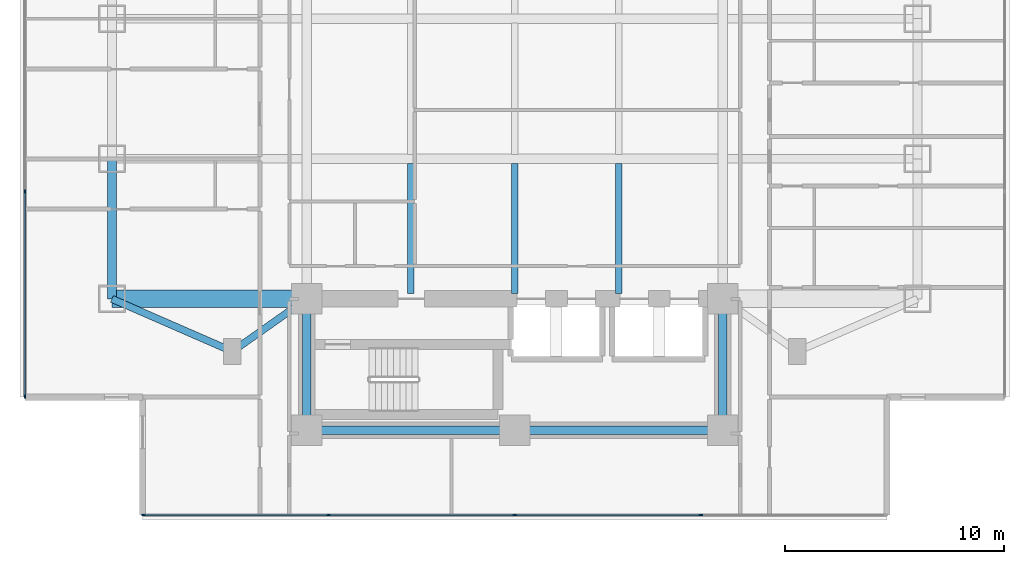
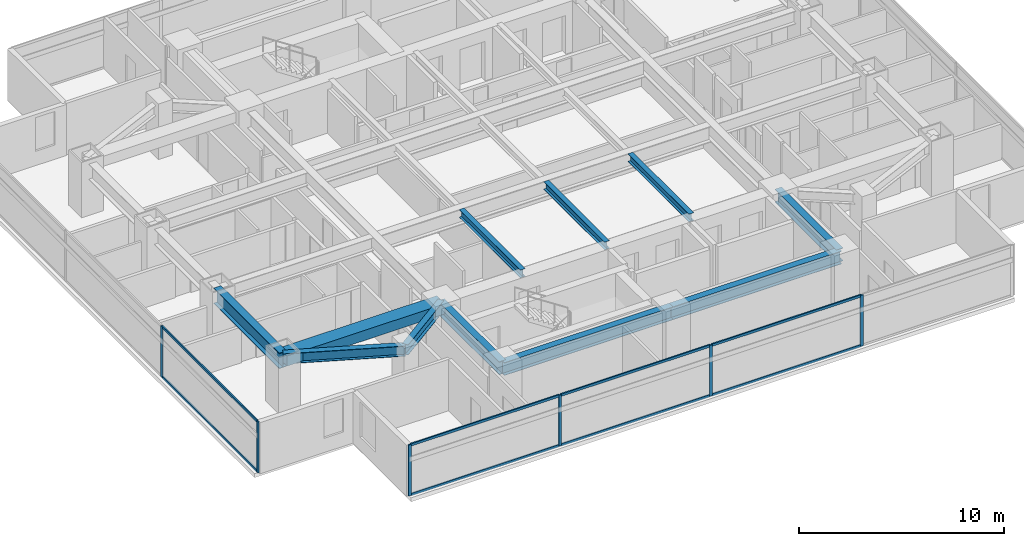
# One storey, part 2 of 26: 14 members, 11 beams, 2 elements without a shape of their own.
"""IFC4 building model written with IfcOpenShell, lengths in metres."""

from ifc_helpers import new_model, si_unit, direction, frame, origin, origin_2d, place, context, subcontext, project, spatial, rectangle, i_section, extrude, material, material_profile, profile_set, type_object, element, aggregate, save


model = new_model("IFC4")

# Units and contexts
model_context = context("Model", 3, precision=1e-05, world=origin(), true_north=direction((0.0, 1.0)))
body_context = subcontext(model_context, "Body", "Model", "MODEL_VIEW")
ifc_project = project(units=[si_unit("LENGTHUNIT", "METRE"), si_unit("AREAUNIT", "SQUARE_METRE"), si_unit("VOLUMEUNIT", "CUBIC_METRE"), si_unit("PLANEANGLEUNIT", "RADIAN"), si_unit("MASSUNIT", "GRAM", prefix="KILO")], contexts=[model_context])

# Site, building, storey
site_placement = place(None, origin())
site = spatial("IfcSite", under=ifc_project, at=site_placement, CompositionType="ELEMENT")
building_placement = place(site_placement, origin())
building = spatial("IfcBuilding", under=site, at=building_placement, Name="Mirazonda Arch Towers", CompositionType="ELEMENT")
storey_placement = place(building_placement, frame((0.0, 0.0, 38.89990234375)))
storey = spatial("IfcBuildingStorey", under=building, at=storey_placement, Name="L10", CompositionType="ELEMENT", Elevation=38.89990234375)

# Beams
ifc_material_1 = material(Name="Steel ASTM A992 Grade 50", Category="steel")
ifc_material_profile_1 = material_profile(ifc_material_1, i_section(OverallWidth=0.41796875, OverallDepth=0.927001953125, WebThickness=0.019287109375, FlangeThickness=0.031982421875, at=origin_2d()), Name="W36X231")
ifc_profile_set_1 = profile_set([ifc_material_profile_1], Name="Steel ASTM A992 Grade 50")
beam_type_1 = type_object("IfcBeamType", Name="BM-EXT-W36X231", PredefinedType="USERDEFINED", material=ifc_profile_set_1)
beam_1_placement = place(storey_placement, frame((2.10009765625, 18.39990234375, 2.5966796875), z_axis=(0.0, 1.0, 0.0), x_axis=(-1.0, 0.0, 0.0)))
element("IfcBeam", 1, at=beam_1_placement, inside=storey, type_object=beam_type_1, Name="L10 Floor Beam BM-T1-L10-NS-W-18", ObjectType="GIRDER", PredefinedType="USERDEFINED", context=body_context, shape_type="SweptSolid", body=[
    extrude(i_section(OverallWidth=0.41796875, OverallDepth=0.927001953125, WebThickness=0.019287109375, FlangeThickness=0.031982421875, at=origin_2d()), origin(), (0.0, 0.0, 1.0), 6.400146484375),
])
ifc_material_profile_2 = material_profile(ifc_material_1, i_section(OverallWidth=0.280029296875, OverallDepth=0.462890625, WebThickness=0.0107421875, FlangeThickness=0.017333984375, at=origin_2d()), Name="W18X76")
ifc_profile_set_2 = profile_set([ifc_material_profile_2], Name="Steel ASTM A992 Grade 50")
beam_type_2 = type_object("IfcBeamType", Name="BM-INT-W18X76", PredefinedType="JOIST", material=ifc_profile_set_2)
for number, where, z_axis, x_axis, name in (
    (2, (15.75, 18.639892578125, 2.82861328125), (0.0, 1.0, 0.0), (-1.0, 0.0, 0.0), "L10 Floor Beam BM-T1-L10-J-157-18"),
    (3, (20.5, 18.639892578125, 2.82861328125), (0.0, 1.0, 0.0), (-1.0, 0.0, 0.0), "L10 Floor Beam BM-T1-L10-J-205-18"),
    (4, (25.25, 18.639892578125, 2.82861328125), (0.0, 1.0, 0.0), (-1.0, 0.0, 0.0), "L10 Floor Beam BM-T1-L10-J-252-18"),
):
    element("IfcBeam", number, at=place(storey_placement, frame(where, z_axis=z_axis, x_axis=x_axis)), inside=storey, type_object=beam_type_2, Name=name, PredefinedType="JOIST", context=body_context, shape_type="SweptSolid", body=[
        extrude(i_section(OverallWidth=0.280029296875, OverallDepth=0.462890625, WebThickness=0.0107421875, FlangeThickness=0.017333984375, at=origin_2d()), origin(), (0.0, 0.0, 1.0), 5.95263671875),
    ])
ifc_material_profile_3 = material_profile(ifc_material_1, i_section(OverallWidth=0.324951171875, OverallDepth=0.615966796875, WebThickness=0.013916015625, FlangeThickness=0.021484375, at=origin_2d()), Name="W24X117")
ifc_profile_set_3 = profile_set([ifc_material_profile_3], Name="Steel ASTM A992 Grade 50")
beam_type_3 = type_object("IfcBeamType", Name="BM-INT-W24X117", PredefinedType="BEAM", material=ifc_profile_set_3)
beam_2_placement = place(storey_placement, frame((7.60009765625, 16.0, 2.752197265625), z_axis=(0.816971114901, 0.576678591087, 0.0), x_axis=(-0.576678591087, 0.816971114901, 0.0)))
element("IfcBeam", 5, at=beam_2_placement, inside=storey, type_object=beam_type_3, Name="L10 Floor Beam BM-T1-L10-PL-SW1", PredefinedType="BEAM", context=body_context, shape_type="SweptSolid", body=[
    extrude(i_section(OverallWidth=0.324951171875, OverallDepth=0.615966796875, WebThickness=0.013916015625, FlangeThickness=0.021484375, at=origin_2d()), origin(), (0.0, 0.0, 1.0), 4.16162109375),
])
beam_3_placement = place(storey_placement, frame((7.60009765625, 16.0, 2.752197265625), z_axis=(-0.916545343703, 0.399930785183, 0.0), x_axis=(-0.399930785183, -0.916545343703, 0.0)))
element("IfcBeam", 6, at=beam_3_placement, inside=storey, type_object=beam_type_3, Name="L10 Floor Beam BM-T1-L10-PL-SW2", PredefinedType="BEAM", context=body_context, shape_type="SweptSolid", body=[
    extrude(i_section(OverallWidth=0.324951171875, OverallDepth=0.615966796875, WebThickness=0.013916015625, FlangeThickness=0.021484375, at=origin_2d()), origin(), (0.0, 0.0, 1.0), 6.000732421875),
])
ifc_material_profile_4 = material_profile(ifc_material_1, i_section(OverallWidth=0.381103515625, OverallDepth=0.77294921875, WebThickness=0.0166015625, FlangeThickness=0.027099609375, at=origin_2d()), Name="W30X173")
ifc_profile_set_4 = profile_set([ifc_material_profile_4], Name="Steel ASTM A992 Grade 50")
beam_type_4 = type_object("IfcBeamType", Name="BM-INT-W30X173", PredefinedType="USERDEFINED", material=ifc_profile_set_4)
for number, where, z_axis, x_axis, name in (
    (7, (11.0, 12.39990234375, 2.673583984375), (1.0, 0.0, 0.0), (0.0, 1.0, 0.0), "L10 Floor Beam BM-T1-L10-CS1"),
    (8, (20.5, 12.39990234375, 2.673583984375), (1.0, 0.0, 0.0), (0.0, 1.0, 0.0), "L10 Floor Beam BM-T1-L10-CS2"),
):
    element("IfcBeam", number, at=place(storey_placement, frame(where, z_axis=z_axis, x_axis=x_axis)), inside=storey, type_object=beam_type_4, Name=name, ObjectType="GIRDER", PredefinedType="USERDEFINED", context=body_context, shape_type="SweptSolid", body=[
        extrude(i_section(OverallWidth=0.381103515625, OverallDepth=0.77294921875, WebThickness=0.0166015625, FlangeThickness=0.027099609375, at=origin_2d()), origin(), (0.0, 0.0, 1.0), 9.5),
    ])
for number, where, z_axis, x_axis, name in (
    (9, (11.0, 12.39990234375, 2.673583984375), (0.0, 1.0, 0.0), (-1.0, 0.0, 0.0), "L10 Floor Beam BM-T1-L10-CSW"),
    (10, (30.0, 12.39990234375, 2.673583984375), (0.0, 1.0, 0.0), (-1.0, 0.0, 0.0), "L10 Floor Beam BM-T1-L10-CSE"),
):
    element("IfcBeam", number, at=place(storey_placement, frame(where, z_axis=z_axis, x_axis=x_axis)), inside=storey, type_object=beam_type_4, Name=name, ObjectType="GIRDER", PredefinedType="USERDEFINED", context=body_context, shape_type="SweptSolid", body=[
        extrude(i_section(OverallWidth=0.381103515625, OverallDepth=0.77294921875, WebThickness=0.0166015625, FlangeThickness=0.027099609375, at=origin_2d()), origin(), (0.0, 0.0, 1.0), 6.0),
    ])
ifc_material_2 = material(Name="Concrete C60/75", Category="concrete")
ifc_material_profile_5 = material_profile(ifc_material_2, rectangle(XDim=0.800048828125, YDim=0.60009765625, at=origin_2d()), Name="RCCB800x600")
ifc_profile_set_5 = profile_set([ifc_material_profile_5], Name="Concrete C60/75")
beam_type_5 = type_object("IfcBeamType", Name="CB-INT-RCCB800x600", PredefinedType="SPANDREL", material=ifc_profile_set_5)
beam_4_placement = place(storey_placement, frame((2.10009765625, 18.39990234375, 2.760009765625), z_axis=(1.0, 0.0, 0.0), x_axis=(0.0, 1.0, 0.0)))
element("IfcBeam", 11, at=beam_4_placement, inside=storey, type_object=beam_type_5, Name="L10 Floor Beam CBC-T1-L10-SW", PredefinedType="SPANDREL", context=body_context, shape_type="SweptSolid", body=[
    extrude(rectangle(XDim=0.800048828125, YDim=0.60009765625, at=origin_2d()), origin(), (0.0, 0.0, 1.0), 8.89990234375),
])

# Curtain wall, members
ifc_material_3 = material(Name="Anodised Aluminium and Low-E Glass", Category="aluminium")
curtain_wall_type = type_object("IfcCurtainWallType", Name="CW-HTL-UNIT", PredefinedType="NOTDEFINED", material=ifc_material_3)
curtain_wall_1_placement = place(storey_placement, origin())
curtain_wall_1 = element("IfcCurtainWall", 12, at=curtain_wall_1_placement, inside=storey, type_object=curtain_wall_type, Name="L10 T1 S Facade CW-L10-T1-S", PredefinedType="NOTDEFINED")
ifc_material_4 = material(Name="Anodised Aluminium Alloy", Category="aluminium")
ifc_material_profile_6 = material_profile(ifc_material_4, rectangle(XDim=0.074951171875, YDim=0.1650390625, at=origin_2d()), Name="ALU-MULL-75x165")
ifc_profile_set_6 = profile_set([ifc_material_profile_6], Name="Anodised Aluminium Alloy")
member_type_1 = type_object("IfcMemberType", Name="MULL-CW-HTL-UNIT", PredefinedType="MULLION", material=ifc_profile_set_6)
member_1_placement = place(storey_placement, frame((29.0, 8.530029296875, 0.0), z_axis=(0.0, 0.0, 1.0), x_axis=(0.0, -1.0, 0.0)))
member_1 = element("IfcMember", 13, at=member_1_placement, type_object=member_type_1, Name="CW-112 mullion 2", PredefinedType="MULLION", context=body_context, shape_type="SweptSolid", body=[
    extrude(rectangle(XDim=0.074951171875, YDim=0.1650390625, at=origin_2d()), origin(), (0.0, 0.0, 1.0), 3.0400390625),
])
member_2_placement = place(storey_placement, frame((20.5, 8.530029296875, 0.0), z_axis=(0.0, 0.0, 1.0), x_axis=(0.0, -1.0, 0.0)))
member_2 = element("IfcMember", 14, at=member_2_placement, type_object=member_type_1, Name="CW-112 mullion 3", PredefinedType="MULLION", context=body_context, shape_type="SweptSolid", body=[
    extrude(rectangle(XDim=0.074951171875, YDim=0.1650390625, at=origin_2d()), origin(), (0.0, 0.0, 1.0), 3.0400390625),
])
member_3_placement = place(storey_placement, frame((12.0, 8.530029296875, 0.0), z_axis=(0.0, 0.0, 1.0), x_axis=(0.0, -1.0, 0.0)))
member_3 = element("IfcMember", 15, at=member_3_placement, type_object=member_type_1, Name="CW-112 mullion 4", PredefinedType="MULLION", context=body_context, shape_type="SweptSolid", body=[
    extrude(rectangle(XDim=0.074951171875, YDim=0.1650390625, at=origin_2d()), origin(), (0.0, 0.0, 1.0), 3.0400390625),
])
member_4_placement = place(storey_placement, frame((3.53759765625, 8.530029296875, 0.0), z_axis=(0.0, 0.0, 1.0), x_axis=(0.0, -1.0, 0.0)))
member_4 = element("IfcMember", 16, at=member_4_placement, type_object=member_type_1, Name="CW-112 mullion 5", PredefinedType="MULLION", context=body_context, shape_type="SweptSolid", body=[
    extrude(rectangle(XDim=0.074951171875, YDim=0.1650390625, at=origin_2d()), origin(), (0.0, 0.0, 1.0), 3.0400390625),
])

curtain_wall_2_placement = place(storey_placement, origin())
curtain_wall_2 = element("IfcCurtainWall", 17, at=curtain_wall_2_placement, inside=storey, type_object=curtain_wall_type, Name="L10 T1 W Facade CW-L10-T1-W", PredefinedType="NOTDEFINED")
member_5_placement = place(storey_placement, frame((-1.8798828125, 23.30322265625, 0.0), z_axis=(0.0, 0.0, 1.0), x_axis=(1.0, 0.0, 0.0)))
member_5 = element("IfcMember", 18, at=member_5_placement, type_object=member_type_1, Name="CW-112 mullion 3", PredefinedType="MULLION", context=body_context, shape_type="SweptSolid", body=[
    extrude(rectangle(XDim=0.074951171875, YDim=0.1650390625, at=origin_2d()), origin(), (0.0, 0.0, 1.0), 3.0400390625),
])
member_6_placement = place(storey_placement, frame((-1.8798828125, 13.947509765625, 0.0), z_axis=(0.0, 0.0, 1.0), x_axis=(1.0, 0.0, 0.0)))
member_6 = element("IfcMember", 19, at=member_6_placement, type_object=member_type_1, Name="CW-112 mullion 4", PredefinedType="MULLION", context=body_context, shape_type="SweptSolid", body=[
    extrude(rectangle(XDim=0.074951171875, YDim=0.1650390625, at=origin_2d()), origin(), (0.0, 0.0, 1.0), 3.0400390625),
])

# Member
ifc_material_profile_7 = material_profile(ifc_material_4, rectangle(XDim=0.074951171875, YDim=0.14501953125, at=origin_2d()), Name="ALU-TRAN-75x145")
ifc_profile_set_7 = profile_set([ifc_material_profile_7], Name="Anodised Aluminium Alloy")
member_type_2 = type_object("IfcMemberType", Name="TRAN-CW-HTL-UNIT", PredefinedType="USERDEFINED", material=ifc_profile_set_7)
member_7_placement = place(storey_placement, frame((28.96240234375, 8.530029296875, 0.03759765625), z_axis=(-1.0, 0.0, 0.0), x_axis=(0.0, -1.0, 0.0)))
member_7 = element("IfcMember", 20, at=member_7_placement, type_object=member_type_2, Name="CW-112 transom 2.1", ObjectType="TRANSOM", PredefinedType="USERDEFINED", context=body_context, shape_type="SweptSolid", body=[
    extrude(rectangle(XDim=0.074951171875, YDim=0.14501953125, at=origin_2d()), origin(), (0.0, 0.0, 1.0), 8.4248046875),
])

member_8_placement = place(storey_placement, frame((28.96240234375, 8.530029296875, 3.002685546875), z_axis=(-1.0, 0.0, 0.0), x_axis=(0.0, -1.0, 0.0)))
member_8 = element("IfcMember", 21, at=member_8_placement, type_object=member_type_2, Name="CW-112 transom 2.2", ObjectType="TRANSOM", PredefinedType="USERDEFINED", context=body_context, shape_type="SweptSolid", body=[
    extrude(rectangle(XDim=0.074951171875, YDim=0.14501953125, at=origin_2d()), origin(), (0.0, 0.0, 1.0), 8.4248046875),
])

member_9_placement = place(storey_placement, frame((20.46240234375, 8.530029296875, 0.03759765625), z_axis=(-1.0, 0.0, 0.0), x_axis=(0.0, -1.0, 0.0)))
member_9 = element("IfcMember", 22, at=member_9_placement, type_object=member_type_2, Name="CW-112 transom 3.1", ObjectType="TRANSOM", PredefinedType="USERDEFINED", context=body_context, shape_type="SweptSolid", body=[
    extrude(rectangle(XDim=0.074951171875, YDim=0.14501953125, at=origin_2d()), origin(), (0.0, 0.0, 1.0), 8.4248046875),
])

member_10_placement = place(storey_placement, frame((20.46240234375, 8.530029296875, 3.002685546875), z_axis=(-1.0, 0.0, 0.0), x_axis=(0.0, -1.0, 0.0)))
member_10 = element("IfcMember", 23, at=member_10_placement, type_object=member_type_2, Name="CW-112 transom 3.2", ObjectType="TRANSOM", PredefinedType="USERDEFINED", context=body_context, shape_type="SweptSolid", body=[
    extrude(rectangle(XDim=0.074951171875, YDim=0.14501953125, at=origin_2d()), origin(), (0.0, 0.0, 1.0), 8.4248046875),
])

member_11_placement = place(storey_placement, frame((11.96240234375, 8.530029296875, 0.03759765625), z_axis=(-1.0, 0.0, 0.0), x_axis=(0.0, -1.0, 0.0)))
member_11 = element("IfcMember", 24, at=member_11_placement, type_object=member_type_2, Name="CW-112 transom 4.1", ObjectType="TRANSOM", PredefinedType="USERDEFINED", context=body_context, shape_type="SweptSolid", body=[
    extrude(rectangle(XDim=0.074951171875, YDim=0.14501953125, at=origin_2d()), origin(), (0.0, 0.0, 1.0), 8.387451171875),
])

member_12_placement = place(storey_placement, frame((11.96240234375, 8.530029296875, 3.002685546875), z_axis=(-1.0, 0.0, 0.0), x_axis=(0.0, -1.0, 0.0)))
member_12 = element("IfcMember", 25, at=member_12_placement, type_object=member_type_2, Name="CW-112 transom 4.2", ObjectType="TRANSOM", PredefinedType="USERDEFINED", context=body_context, shape_type="SweptSolid", body=[
    extrude(rectangle(XDim=0.074951171875, YDim=0.14501953125, at=origin_2d()), origin(), (0.0, 0.0, 1.0), 8.387451171875),
])

aggregate(curtain_wall_1, [member_1, member_2, member_3, member_4, member_7, member_8, member_9, member_10, member_11, member_12])

member_13_placement = place(storey_placement, frame((-1.8798828125, 23.265869140625, 0.03759765625), z_axis=(0.0, -1.0, 0.0), x_axis=(1.0, 0.0, 0.0)))
member_13 = element("IfcMember", 26, at=member_13_placement, type_object=member_type_2, Name="CW-112 transom 3.1", ObjectType="TRANSOM", PredefinedType="USERDEFINED", context=body_context, shape_type="SweptSolid", body=[
    extrude(rectangle(XDim=0.074951171875, YDim=0.14501953125, at=origin_2d()), origin(), (0.0, 0.0, 1.0), 9.28076171875),
])

member_14_placement = place(storey_placement, frame((-1.8798828125, 23.265869140625, 3.002685546875), z_axis=(0.0, -1.0, 0.0), x_axis=(1.0, 0.0, 0.0)))
member_14 = element("IfcMember", 27, at=member_14_placement, type_object=member_type_2, Name="CW-112 transom 3.2", ObjectType="TRANSOM", PredefinedType="USERDEFINED", context=body_context, shape_type="SweptSolid", body=[
    extrude(rectangle(XDim=0.074951171875, YDim=0.14501953125, at=origin_2d()), origin(), (0.0, 0.0, 1.0), 9.28076171875),
])

aggregate(curtain_wall_2, [member_5, member_6, member_13, member_14])

save(model, "model.ifc")
